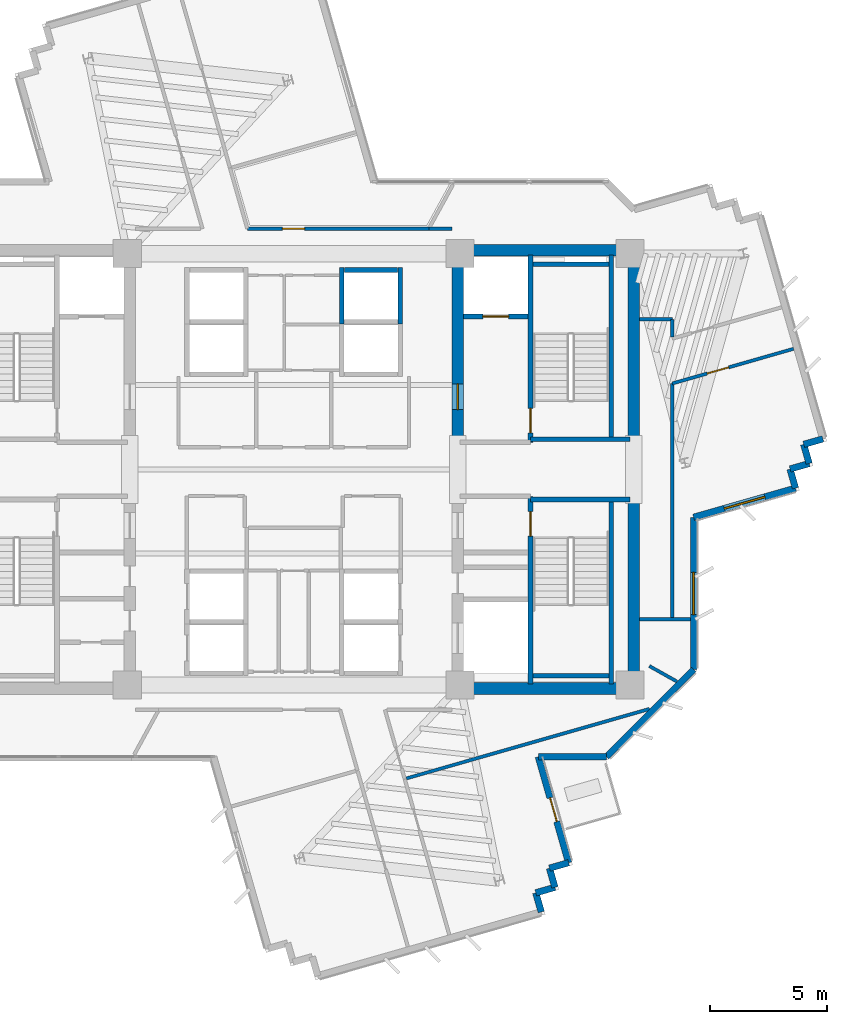
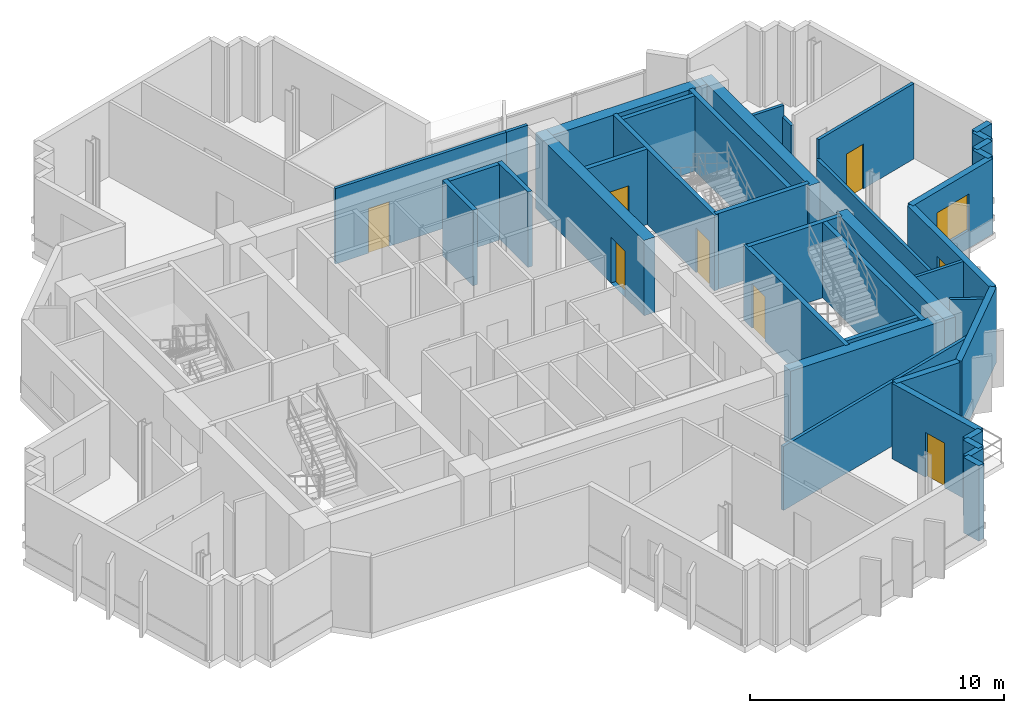
# One storey, part 8 of 14: 39 walls, 7 doors, 2 windows, 9 openings.
"""IFC4 building model written with IfcOpenShell, lengths in metres."""

from ifc_helpers import new_model, si_unit, direction, frame, frame_2d, origin, place, context, subcontext, project, spatial, rectangle, extrude, source, transform, mapped, material, layer, layer_set, type_object, element, fill, save


model = new_model("IFC4")

# Units and contexts
model_context = context("Model", 3, precision=1e-05, world=origin(), true_north=direction((0.0, 1.0)))
body_context = subcontext(model_context, "Body", "Model", "MODEL_VIEW")
ifc_project = project(units=[si_unit("LENGTHUNIT", "METRE"), si_unit("AREAUNIT", "SQUARE_METRE"), si_unit("VOLUMEUNIT", "CUBIC_METRE"), si_unit("PLANEANGLEUNIT", "RADIAN"), si_unit("MASSUNIT", "GRAM", prefix="KILO")], contexts=[model_context])

# Site, building, storey
site_placement = place(None, origin())
site = spatial("IfcSite", under=ifc_project, at=site_placement, CompositionType="ELEMENT")
building_placement = place(site_placement, origin())
building = spatial("IfcBuilding", under=site, at=building_placement, Name="Zahravan Cultural Tower", CompositionType="ELEMENT")
storey_placement = place(building_placement, frame((0.0, 0.0, 205.800048828125)))
storey = spatial("IfcBuildingStorey", under=building, at=storey_placement, Name="L48", CompositionType="ELEMENT", Elevation=205.800048828125)

# Wall, opening, door
ifc_material_1 = material(Name="Concrete C60/75", Category="concrete")
ifc_layer_1 = layer(ifc_material_1, 0.5)
ifc_layer_set_1 = layer_set([ifc_layer_1], Name="Concrete C60/75")
wall_type_1 = type_object("IfcWallType", Name="CW-SHEAR-500-C60", PredefinedType="SHEAR", material=ifc_layer_set_1)
wall_1_placement = place(storey_placement, frame((43.0, 28.050048828125, 0.0), z_axis=(0.0, 0.0, 1.0), x_axis=(0.0, 1.0, 0.0)))
wall_1 = element("IfcWall", 1, at=wall_1_placement, inside=storey, type_object=wall_type_1, Name="L48 Core Shear Wall CW-E-WN-L48", PredefinedType="SHEAR", context=body_context, shape_type="SweptSolid", body=[
    extrude(rectangle(XDim=8.550048828125, YDim=0.5, at=frame_2d((4.27490234375, 0.0))), origin(), (0.0, 0.0, 1.0), 3.619873046875),
])
opening_1_placement = place(wall_1_placement, frame((1.5, 0.0, 0.0)))
opening_1 = element("IfcOpeningElement", 2, at=opening_1_placement, cuts=wall_1, Name="Opening D-L48-06", PredefinedType="OPENING", context=body_context, shape_type="SweptSolid", body=[
    extrude(rectangle(XDim=1.10009765625, YDim=2.199951171875, at=frame_2d((0.550048828125, 1.10009765625))), frame((0.0, 0.260009765625, 0.0), z_axis=(0.0, -1.0, 0.0), x_axis=(1.0, 0.0, 0.0)), (0.0, 0.0, 1.0), 0.52001953125),
])
ifc_material_2 = material(Name="Steel ASTM A572 Grade 50", Category="steel")
door_type_1 = type_object("IfcDoorType", Name="DR-LOBBY-1100", OperationType="NOTDEFINED", PredefinedType="DOOR", material=ifc_material_2)
shared_shape_1 = source(origin(), body_context, "Body", "SweptSolid", [
    extrude(rectangle(XDim=1.10009765625, YDim=2.199951171875, at=frame_2d((0.550048828125, 1.10009765625))), frame((0.0, 0.02490234375, 0.0), z_axis=(0.0, -1.0, 0.0), x_axis=(1.0, 0.0, 0.0)), (0.0, 0.0, 1.0), 0.050048828125),
])
door_1_placement = place(opening_1_placement, origin())
door_1 = element("IfcDoor", 3, at=door_1_placement, inside=storey, type_object=door_type_1, Name="L48 Door D-L48-06", OperationType="SINGLE_SWING_LEFT", OverallHeight=2.199951171875, OverallWidth=1.10009765625, PredefinedType="DOOR", context=body_context, shape_type="MappedRepresentation", body=[
    mapped(shared_shape_1, transform((0.0, 0.0, 0.0), x_axis=(1.0, 0.0, 0.0), y_axis=(0.0, 1.0, 0.0), z_axis=(0.0, 0.0, 1.0), scale=1.0)),
])
fill(opening_1, door_1)

# Wall, opening, window
ifc_material_3 = material(Name="Precast concrete C40/50", Category="concrete")
ifc_layer_2 = layer(ifc_material_3, 0.280029296875)
ifc_layer_set_2 = layer_set([ifc_layer_2], Name="Precast concrete C40/50")
wall_type_2 = type_object("IfcWallType", Name="EW-TC-280", PredefinedType="SOLIDWALL", material=ifc_layer_set_2)
wall_2_placement = place(storey_placement, frame((57.406494140625, 26.195068359375, 0.0), z_axis=(0.0, 0.0, 1.0), x_axis=(-0.961446468673, -0.274992159663, 0.0)))
wall_2 = element("IfcWall", 4, at=wall_2_placement, inside=storey, type_object=wall_type_2, Name="L48 Exterior Masonry Frame Wall 11", PredefinedType="SOLIDWALL", context=body_context, shape_type="SweptSolid", body=[
    extrude(rectangle(XDim=4.520751953125, YDim=0.280029296875, at=frame_2d((2.26025390625, 0.0))), origin(), (0.0, 0.0, 1.0), 3.619873046875),
])
opening_2_placement = place(wall_2_placement, frame((1.360107421875, 0.0, 0.85009765625)))
opening_2 = element("IfcOpeningElement", 5, at=opening_2_placement, cuts=wall_2, Name="Opening WN-02", PredefinedType="OPENING", context=body_context, shape_type="SweptSolid", body=[
    extrude(rectangle(XDim=1.800048828125, YDim=1.75, at=frame_2d((0.89990234375, 0.875))), frame((0.0, 0.14990234375, 0.0), z_axis=(0.0, -1.0, 0.0), x_axis=(1.0, 0.0, 0.0)), (0.0, 0.0, 1.0), 0.300048828125),
])
ifc_material_4 = material(Name="Low-E solar-control double glazing", Category="glass")
window_type = type_object("IfcWindowType", Name="WN-REC-1800X1750", PartitioningType="DOUBLE_PANEL_VERTICAL", PredefinedType="WINDOW", material=ifc_material_4)
shared_shape_2 = source(origin(), body_context, "Body", "SweptSolid", [
    extrude(rectangle(XDim=1.800048828125, YDim=1.75, at=frame_2d((0.89990234375, 0.875))), frame((0.0, 0.030029296875, 0.0), z_axis=(0.0, -1.0, 0.0), x_axis=(1.0, 0.0, 0.0)), (0.0, 0.0, 1.0), 0.06005859375),
])
window_1_placement = place(opening_2_placement, origin())
window_1 = element("IfcWindow", 6, at=window_1_placement, inside=storey, type_object=window_type, Name="L48 Recessed Solar Window 01", OverallHeight=1.75, OverallWidth=1.800048828125, PartitioningType="DOUBLE_PANEL_VERTICAL", PredefinedType="WINDOW", context=body_context, shape_type="MappedRepresentation", body=[
    mapped(shared_shape_2, transform((0.0, 0.0, 0.0), x_axis=(1.0, 0.0, 0.0), y_axis=(0.0, 1.0, 0.0), z_axis=(0.0, 0.0, 1.0), scale=1.0)),
])
fill(opening_2, window_1)

wall_3_placement = place(storey_placement, frame((53.06005859375, 24.951904296875, 0.0), z_axis=(0.0, 0.0, 1.0), x_axis=(0.0, -1.0, 0.0)))
wall_3 = element("IfcWall", 7, at=wall_3_placement, inside=storey, type_object=wall_type_2, Name="L48 Exterior Masonry Frame Wall 12", PredefinedType="SOLIDWALL", context=body_context, shape_type="SweptSolid", body=[
    extrude(rectangle(XDim=6.493896484375, YDim=0.280029296875, at=frame_2d((3.2470703125, 0.0))), origin(), (0.0, 0.0, 1.0), 3.619873046875),
])
opening_3_placement = place(wall_3_placement, frame((2.346923828125, 0.0, 0.85009765625)))
opening_3 = element("IfcOpeningElement", 8, at=opening_3_placement, cuts=wall_3, Name="Opening WN-02", PredefinedType="OPENING", context=body_context, shape_type="SweptSolid", body=[
    extrude(rectangle(XDim=1.800048828125, YDim=1.75, at=frame_2d((0.89990234375, 0.875))), frame((0.0, 0.14990234375, 0.0), z_axis=(0.0, -1.0, 0.0), x_axis=(1.0, 0.0, 0.0)), (0.0, 0.0, 1.0), 0.300048828125),
])
window_2_placement = place(opening_3_placement, origin())
window_2 = element("IfcWindow", 9, at=window_2_placement, inside=storey, type_object=window_type, Name="L48 Recessed Solar Window 02", OverallHeight=1.75, OverallWidth=1.800048828125, PartitioningType="DOUBLE_PANEL_VERTICAL", PredefinedType="WINDOW", context=body_context, shape_type="MappedRepresentation", body=[
    mapped(shared_shape_2, transform((0.0, 0.0, 0.0), x_axis=(1.0, 0.0, 0.0), y_axis=(0.0, 1.0, 0.0), z_axis=(0.0, 0.0, 1.0), scale=1.0)),
])
fill(opening_3, window_2)

# Wall, opening, door
wall_4_placement = place(storey_placement, frame((46.43310546875, 14.739990234375, 0.0), z_axis=(0.0, 0.0, 1.0), x_axis=(0.274981611661, -0.961449485542, 0.0)))
wall_4 = element("IfcWall", 10, at=wall_4_placement, inside=storey, type_object=wall_type_2, Name="L48 Exterior Masonry Frame Wall 15", PredefinedType="SOLIDWALL", context=body_context, shape_type="SweptSolid", body=[
    extrude(rectangle(XDim=4.703857421875, YDim=0.280029296875, at=frame_2d((2.35205078125, 0.0))), origin(), (0.0, 0.0, 1.0), 3.619873046875),
])
opening_4_placement = place(wall_4_placement, frame((1.826904296875, 0.0, 0.0)))
opening_4 = element("IfcOpeningElement", 11, at=opening_4_placement, cuts=wall_4, Name="Opening D-L48-TR-SE", PredefinedType="OPENING", context=body_context, shape_type="SweptSolid", body=[
    extrude(rectangle(XDim=1.050048828125, YDim=2.14990234375, at=frame_2d((0.52490234375, 1.074951171875))), frame((0.0, 0.14990234375, 0.0), z_axis=(0.0, -1.0, 0.0), x_axis=(1.0, 0.0, 0.0)), (0.0, 0.0, 1.0), 0.300048828125),
])
ifc_material_5 = material(Name="Anodised bronze-aluminium mullion", Category="aluminium")
door_type_2 = type_object("IfcDoorType", Name="DR-TERR-1050", OperationType="NOTDEFINED", PredefinedType="DOOR", material=ifc_material_5)
shared_shape_3 = source(origin(), body_context, "Body", "SweptSolid", [
    extrude(rectangle(XDim=1.050048828125, YDim=2.14990234375, at=frame_2d((0.52490234375, 1.074951171875))), frame((0.0, 0.02490234375, 0.0), z_axis=(0.0, -1.0, 0.0), x_axis=(1.0, 0.0, 0.0)), (0.0, 0.0, 1.0), 0.050048828125),
])
door_2_placement = place(opening_4_placement, origin())
door_2 = element("IfcDoor", 12, at=door_2_placement, inside=storey, type_object=door_type_2, Name="L48 Terrace Access Door SE", OperationType="SINGLE_SWING_LEFT", OverallHeight=2.14990234375, OverallWidth=1.050048828125, PredefinedType="DOOR", context=body_context, shape_type="MappedRepresentation", body=[
    mapped(shared_shape_3, transform((0.0, 0.0, 0.0), x_axis=(1.0, 0.0, 0.0), y_axis=(0.0, 1.0, 0.0), z_axis=(0.0, 0.0, 1.0), scale=1.0)),
])
fill(opening_4, door_2)

ifc_material_6 = material(Name="Gypsum plasterboard partition")
ifc_layer_3 = layer(ifc_material_6, 0.139892578125)
ifc_layer_set_3 = layer_set([ifc_layer_3], Name="Gypsum plasterboard partition")
wall_type_3 = type_object("IfcWallType", Name="W-PART-140", PredefinedType="PARTITIONING", material=ifc_layer_set_3)
wall_5_placement = place(storey_placement, frame((41.775390625, 37.260009765625, 0.0), z_axis=(0.0, 0.0, 1.0), x_axis=(-1.0, 0.0, 0.0)))
wall_5 = element("IfcWall", 13, at=wall_5_placement, inside=storey, type_object=wall_type_3, Name="L48 Interior Wall 092", PredefinedType="PARTITIONING", context=body_context, shape_type="SweptSolid", body=[
    extrude(rectangle(XDim=7.752685546875, YDim=0.139892578125, at=frame_2d((3.87646484375, 0.0))), origin(), (0.0, 0.0, 1.0), 3.619873046875),
])
opening_5_placement = place(wall_5_placement, frame((5.30615234375, 0.0, 0.0)))
opening_5 = element("IfcOpeningElement", 14, at=opening_5_placement, cuts=wall_5, Name="Opening D-L48-25", PredefinedType="OPENING", context=body_context, shape_type="SweptSolid", body=[
    extrude(rectangle(XDim=0.949951171875, YDim=2.14990234375, at=frame_2d((0.47509765625, 1.074951171875))), frame((0.0, 0.079833984375, 0.0), z_axis=(0.0, -1.0, 0.0), x_axis=(1.0, 0.0, 0.0)), (0.0, 0.0, 1.0), 0.159912109375),
])
door_type_3 = type_object("IfcDoorType", Name="DR-ROOM-950", OperationType="NOTDEFINED", PredefinedType="DOOR", material=ifc_material_5)
shared_shape_4 = source(origin(), body_context, "Body", "SweptSolid", [
    extrude(rectangle(XDim=0.949951171875, YDim=2.14990234375, at=frame_2d((0.47509765625, 1.074951171875))), frame((0.0, 0.02490234375, 0.0), z_axis=(0.0, -1.0, 0.0), x_axis=(1.0, 0.0, 0.0)), (0.0, 0.0, 1.0), 0.050048828125),
])
door_3_placement = place(opening_5_placement, origin())
door_3 = element("IfcDoor", 15, at=door_3_placement, inside=storey, type_object=door_type_3, Name="L48 Door D-L48-25", OperationType="SINGLE_SWING_RIGHT", OverallHeight=2.14990234375, OverallWidth=0.949951171875, PredefinedType="DOOR", context=body_context, shape_type="MappedRepresentation", body=[
    mapped(shared_shape_4, transform((0.0, 0.0, 0.0), x_axis=(1.0, 0.0, 0.0), y_axis=(0.0, 1.0, 0.0), z_axis=(0.0, 0.0, 1.0), scale=1.0)),
])
fill(opening_5, door_3)

wall_6_placement = place(storey_placement, frame((52.14990234375, 30.661865234375, 0.0), z_axis=(0.0, 0.0, 1.0), x_axis=(0.961455430103, 0.274960826164, 0.0)))
wall_6 = element("IfcWall", 16, at=wall_6_placement, inside=storey, type_object=wall_type_3, Name="L48 Interior Wall 110", PredefinedType="PARTITIONING", context=body_context, shape_type="SweptSolid", body=[
    extrude(rectangle(XDim=5.380859375, YDim=0.139892578125, at=frame_2d((2.6904296875, 0.0))), origin(), (0.0, 0.0, 1.0), 3.619873046875),
])
opening_6_placement = place(wall_6_placement, frame((1.55078125, 0.0, 0.0)))
opening_6 = element("IfcOpeningElement", 17, at=opening_6_placement, cuts=wall_6, Name="Opening D-L48-23", PredefinedType="OPENING", context=body_context, shape_type="SweptSolid", body=[
    extrude(rectangle(XDim=0.949951171875, YDim=2.14990234375, at=frame_2d((0.47509765625, 1.074951171875))), frame((0.0, 0.079833984375, 0.0), z_axis=(0.0, -1.0, 0.0), x_axis=(1.0, 0.0, 0.0)), (0.0, 0.0, 1.0), 0.159912109375),
])
door_4_placement = place(opening_6_placement, origin())
door_4 = element("IfcDoor", 18, at=door_4_placement, inside=storey, type_object=door_type_3, Name="L48 Door D-L48-23", OperationType="SINGLE_SWING_RIGHT", OverallHeight=2.14990234375, OverallWidth=0.949951171875, PredefinedType="DOOR", context=body_context, shape_type="MappedRepresentation", body=[
    mapped(shared_shape_4, transform((0.0, 0.0, 0.0), x_axis=(1.0, 0.0, 0.0), y_axis=(0.0, 1.0, 0.0), z_axis=(0.0, 0.0, 1.0), scale=1.0)),
])
fill(opening_6, door_4)

ifc_material_7 = material(Name="Concrete C45/55", Category="concrete")
ifc_layer_4 = layer(ifc_material_7, 0.199951171875)
ifc_layer_set_4 = layer_set([ifc_layer_4], Name="Concrete C45/55")
wall_type_4 = type_object("IfcWallType", Name="W-SHAFT-200", PredefinedType="SOLIDWALL", material=ifc_layer_set_4)
wall_7_placement = place(storey_placement, frame((46.10009765625, 17.85009765625, 0.0), z_axis=(0.0, 0.0, 1.0), x_axis=(0.0, 1.0, 0.0)))
wall_7 = element("IfcWall", 19, at=wall_7_placement, inside=storey, type_object=wall_type_4, Name="L48 Interior Wall 007", PredefinedType="SOLIDWALL", context=body_context, shape_type="SweptSolid", body=[
    extrude(rectangle(XDim=8.0, YDim=0.199951171875, at=frame_2d((4.0, 0.0))), origin(), (0.0, 0.0, 1.0), 3.619873046875),
])
opening_7_placement = place(wall_7_placement, frame((6.300048828125, 0.0, 0.0)))
opening_7 = element("IfcOpeningElement", 20, at=opening_7_placement, cuts=wall_7, Name="Opening D-L48-03", PredefinedType="OPENING", context=body_context, shape_type="SweptSolid", body=[
    extrude(rectangle(XDim=1.050048828125, YDim=2.14990234375, at=frame_2d((0.52490234375, 1.074951171875))), frame((0.0, 0.10986328125, 0.0), z_axis=(0.0, -1.0, 0.0), x_axis=(1.0, 0.0, 0.0)), (0.0, 0.0, 1.0), 0.219970703125),
])
door_type_4 = type_object("IfcDoorType", Name="DR-STAIR-1050", OperationType="NOTDEFINED", PredefinedType="DOOR", material=ifc_material_2)
door_5_placement = place(opening_7_placement, origin())
door_5 = element("IfcDoor", 21, at=door_5_placement, inside=storey, type_object=door_type_4, Name="L48 Door D-L48-03", OperationType="SINGLE_SWING_RIGHT", OverallHeight=2.14990234375, OverallWidth=1.050048828125, PredefinedType="DOOR", context=body_context, shape_type="MappedRepresentation", body=[
    mapped(shared_shape_3, transform((0.0, 0.0, 0.0), x_axis=(1.0, 0.0, 0.0), y_axis=(0.0, 1.0, 0.0), z_axis=(0.0, 0.0, 1.0), scale=1.0)),
])
fill(opening_7, door_5)

wall_8_placement = place(storey_placement, frame((46.10009765625, 28.14990234375, 0.0), z_axis=(0.0, 0.0, 1.0), x_axis=(0.0, 1.0, 0.0)))
wall_8 = element("IfcWall", 22, at=wall_8_placement, inside=storey, type_object=wall_type_4, Name="L48 Interior Wall 008", PredefinedType="SOLIDWALL", context=body_context, shape_type="SweptSolid", body=[
    extrude(rectangle(XDim=8.0, YDim=0.199951171875, at=frame_2d((4.0, 0.0))), origin(), (0.0, 0.0, 1.0), 3.619873046875),
])
opening_8_placement = place(wall_8_placement, frame((0.39990234375, 0.0, 0.0)))
opening_8 = element("IfcOpeningElement", 23, at=opening_8_placement, cuts=wall_8, Name="Opening D-L48-02", PredefinedType="OPENING", context=body_context, shape_type="SweptSolid", body=[
    extrude(rectangle(XDim=1.050048828125, YDim=2.14990234375, at=frame_2d((0.52490234375, 1.074951171875))), frame((0.0, 0.10986328125, 0.0), z_axis=(0.0, -1.0, 0.0), x_axis=(1.0, 0.0, 0.0)), (0.0, 0.0, 1.0), 0.219970703125),
])
door_6_placement = place(opening_8_placement, origin())
door_6 = element("IfcDoor", 24, at=door_6_placement, inside=storey, type_object=door_type_4, Name="L48 Door D-L48-02", OperationType="SINGLE_SWING_LEFT", OverallHeight=2.14990234375, OverallWidth=1.050048828125, PredefinedType="DOOR", context=body_context, shape_type="MappedRepresentation", body=[
    mapped(shared_shape_3, transform((0.0, 0.0, 0.0), x_axis=(1.0, 0.0, 0.0), y_axis=(0.0, 1.0, 0.0), z_axis=(0.0, 0.0, 1.0), scale=1.0)),
])
fill(opening_8, door_6)

wall_9_placement = place(storey_placement, frame((43.25, 33.52001953125, 0.0), z_axis=(0.0, 0.0, 1.0), x_axis=(1.0, 0.0, 0.0)))
wall_9 = element("IfcWall", 25, at=wall_9_placement, inside=storey, type_object=wall_type_4, Name="L48 Interior Wall 022", PredefinedType="SOLIDWALL", context=body_context, shape_type="SweptSolid", body=[
    extrude(rectangle(XDim=2.75, YDim=0.199951171875, at=frame_2d((1.375, 0.0))), origin(), (0.0, 0.0, 1.0), 3.619873046875),
])
opening_9_placement = place(wall_9_placement, frame((0.820068359375, 0.0, 0.0)))
opening_9 = element("IfcOpeningElement", 26, at=opening_9_placement, cuts=wall_9, Name="Opening LD-L48-02", PredefinedType="OPENING", context=body_context, shape_type="SweptSolid", body=[
    extrude(rectangle(XDim=1.10009765625, YDim=2.14990234375, at=frame_2d((0.550048828125, 1.074951171875))), frame((0.0, 0.10986328125, 0.0), z_axis=(0.0, -1.0, 0.0), x_axis=(1.0, 0.0, 0.0)), (0.0, 0.0, 1.0), 0.219970703125),
])
door_type_5 = type_object("IfcDoorType", Name="DR-LIFT-1100", OperationType="DOUBLE_DOOR_SLIDING", PredefinedType="DOOR", material=ifc_material_2)
shared_shape_5 = source(origin(), body_context, "Body", "SweptSolid", [
    extrude(rectangle(XDim=1.10009765625, YDim=2.14990234375, at=frame_2d((0.550048828125, 1.074951171875))), frame((0.0, 0.02490234375, 0.0), z_axis=(0.0, -1.0, 0.0), x_axis=(1.0, 0.0, 0.0)), (0.0, 0.0, 1.0), 0.050048828125),
])
door_7_placement = place(opening_9_placement, origin())
door_7 = element("IfcDoor", 27, at=door_7_placement, inside=storey, type_object=door_type_5, Name="L48 Door LD-L48-02", OperationType="DOUBLE_DOOR_SLIDING", OverallHeight=2.14990234375, OverallWidth=1.10009765625, PredefinedType="DOOR", context=body_context, shape_type="MappedRepresentation", body=[
    mapped(shared_shape_5, transform((0.0, 0.0, 0.0), x_axis=(1.0, 0.0, 0.0), y_axis=(0.0, 1.0, 0.0), z_axis=(0.0, 0.0, 1.0), scale=1.0)),
])
fill(opening_9, door_7)

# Walls
shared_shape_6 = source(origin(), body_context, "Body", "SweptSolid", [
    extrude(rectangle(XDim=8.550048828125, YDim=0.5, at=frame_2d((4.27490234375, 0.0))), origin(), (0.0, 0.0, 1.0), 3.619873046875),
])
for number, where, z_axis, x_axis, name in (
    (28, (50.5, 17.39990234375, 0.0), (0.0, 0.0, 1.0), (0.0, 1.0, 0.0), "L48 Core Shear Wall CW-E-ES-L48"),
    (29, (50.5, 28.050048828125, 0.0), (0.0, 0.0, 1.0), (0.0, 1.0, 0.0), "L48 Core Shear Wall CW-E-EN-L48"),
):
    element("IfcWall", number, at=place(storey_placement, frame(where, z_axis=z_axis, x_axis=x_axis)), inside=storey, type_object=wall_type_1, Name=name, PredefinedType="SHEAR", context=body_context, shape_type="MappedRepresentation", body=[
        mapped(shared_shape_6, transform((0.0, 0.0, 0.0), x_axis=(1.0, 0.0, 0.0), y_axis=(0.0, 1.0, 0.0), z_axis=(0.0, 0.0, 1.0), scale=1.0)),
    ])
shared_shape_7 = source(origin(), body_context, "Body", "SweptSolid", [
    extrude(rectangle(XDim=7.0, YDim=0.5, at=frame_2d((3.5, 0.0))), origin(), (0.0, 0.0, 1.0), 3.619873046875),
])
for number, where, z_axis, x_axis, name in (
    (30, (43.25, 17.64990234375, 0.0), (0.0, 0.0, 1.0), (1.0, 0.0, 0.0), "L48 Core Shear Wall CW-E-S-L48"),
    (31, (43.25, 36.35009765625, 0.0), (0.0, 0.0, 1.0), (1.0, 0.0, 0.0), "L48 Core Shear Wall CW-E-N-L48"),
):
    element("IfcWall", number, at=place(storey_placement, frame(where, z_axis=z_axis, x_axis=x_axis)), inside=storey, type_object=wall_type_1, Name=name, PredefinedType="SHEAR", context=body_context, shape_type="MappedRepresentation", body=[
        mapped(shared_shape_7, transform((0.0, 0.0, 0.0), x_axis=(1.0, 0.0, 0.0), y_axis=(0.0, 1.0, 0.0), z_axis=(0.0, 0.0, 1.0), scale=1.0)),
    ])
shared_shape_8 = source(origin(), body_context, "Body", "SweptSolid", [
    extrude(rectangle(XDim=0.85009765625, YDim=0.280029296875, at=frame_2d((0.425048828125, 0.0))), origin(), (0.0, 0.0, 1.0), 3.619873046875),
])
for number, where, z_axis, x_axis, name in (
    (32, (46.909423828125, 9.98388671875, 0.0), (0.0, 0.0, 1.0), (0.274834915789, -0.961491429532, 0.0), "L48 Exterior Masonry Frame Wall 17"),
    (33, (46.325927734375, 8.932861328125, 0.0), (0.0, 0.0, 1.0), (0.274834915789, -0.961491429532, 0.0), "L48 Exterior Masonry Frame Wall 19"),
):
    element("IfcWall", number, at=place(storey_placement, frame(where, z_axis=z_axis, x_axis=x_axis)), inside=storey, type_object=wall_type_2, Name=name, PredefinedType="SOLIDWALL", context=body_context, shape_type="MappedRepresentation", body=[
        mapped(shared_shape_8, transform((0.0, 0.0, 0.0), x_axis=(1.0, 0.0, 0.0), y_axis=(0.0, 1.0, 0.0), z_axis=(0.0, 0.0, 1.0), scale=1.0)),
    ])
shared_shape_9 = source(origin(), body_context, "Body", "SweptSolid", [
    extrude(rectangle(XDim=5.258056640625, YDim=0.280029296875, at=frame_2d((2.62890625, 0.0))), origin(), (0.0, 0.0, 1.0), 3.619873046875),
])
wall_10_placement = place(storey_placement, frame((53.06005859375, 18.4580078125, 0.0), z_axis=(0.0, 0.0, 1.0), x_axis=(-0.707106781187, -0.707106781187, 0.0)))
element("IfcWall", 34, at=wall_10_placement, inside=storey, type_object=wall_type_2, Name="L48 Exterior Masonry Frame Wall 13", PredefinedType="SOLIDWALL", context=body_context, shape_type="MappedRepresentation", body=[
    mapped(shared_shape_9, transform((0.0, 0.0, 0.0), x_axis=(1.0, 0.0, 0.0), y_axis=(0.0, 1.0, 0.0), z_axis=(0.0, 0.0, 1.0), scale=1.0)),
])
shared_shape_10 = source(origin(), body_context, "Body", "SweptSolid", [
    extrude(rectangle(XDim=0.849853515625, YDim=0.280029296875, at=frame_2d((0.4248046875, 0.0))), origin(), (0.0, 0.0, 1.0), 3.619873046875),
])
for number, where, z_axis, x_axis, name in (
    (35, (58.573486328125, 28.296875, 0.0), (0.0, 0.0, 1.0), (-0.961469728335, -0.274910824624, 0.0), "L48 Exterior Masonry Frame Wall 07"),
    (36, (57.75634765625, 28.063232421875, 0.0), (0.0, 0.0, 1.0), (0.274910824624, -0.961469728335, 0.0), "L48 Exterior Masonry Frame Wall 08"),
    (37, (57.989990234375, 27.24609375, 0.0), (0.0, 0.0, 1.0), (-0.961393768724, -0.275176346112, 0.0), "L48 Exterior Masonry Frame Wall 09"),
    (38, (57.1728515625, 27.01220703125, 0.0), (0.0, 0.0, 1.0), (0.274910824624, -0.961469728335, 0.0), "L48 Exterior Masonry Frame Wall 10"),
    (39, (47.7265625, 10.217529296875, 0.0), (0.0, 0.0, 1.0), (-0.961469728335, -0.274910824624, 0.0), "L48 Exterior Masonry Frame Wall 16"),
    (40, (47.14306640625, 9.16650390625, 0.0), (0.0, 0.0, 1.0), (-0.961469728335, -0.274910824624, 0.0), "L48 Exterior Masonry Frame Wall 18"),
):
    element("IfcWall", number, at=place(storey_placement, frame(where, z_axis=z_axis, x_axis=x_axis)), inside=storey, type_object=wall_type_2, Name=name, PredefinedType="SOLIDWALL", context=body_context, shape_type="MappedRepresentation", body=[
        mapped(shared_shape_10, transform((0.0, 0.0, 0.0), x_axis=(1.0, 0.0, 0.0), y_axis=(0.0, 1.0, 0.0), z_axis=(0.0, 0.0, 1.0), scale=1.0)),
    ])
shared_shape_11 = source(origin(), body_context, "Body", "SweptSolid", [
    extrude(rectangle(XDim=2.908935546875, YDim=0.280029296875, at=frame_2d((1.45458984375, 0.0))), origin(), (0.0, 0.0, 1.0), 3.619873046875),
])
wall_11_placement = place(storey_placement, frame((49.342041015625, 14.739990234375, 0.0), z_axis=(0.0, 0.0, 1.0), x_axis=(-1.0, 0.0, 0.0)))
element("IfcWall", 41, at=wall_11_placement, inside=storey, type_object=wall_type_2, Name="L48 Exterior Masonry Frame Wall 14", PredefinedType="SOLIDWALL", context=body_context, shape_type="MappedRepresentation", body=[
    mapped(shared_shape_11, transform((0.0, 0.0, 0.0), x_axis=(1.0, 0.0, 0.0), y_axis=(0.0, 1.0, 0.0), z_axis=(0.0, 0.0, 1.0), scale=1.0)),
])
shared_shape_12 = source(origin(), body_context, "Body", "SweptSolid", [
    extrude(rectangle(XDim=7.869873046875, YDim=0.199951171875, at=frame_2d((3.93505859375, 0.0))), origin(), (0.0, 0.0, 1.0), 3.619873046875),
])
for number, where, z_axis, x_axis, name in (
    (42, (49.550048828125, 17.85009765625, 0.0), (0.0, 0.0, 1.0), (0.0, 1.0, 0.0), "L48 Interior Wall 003"),
    (43, (49.550048828125, 28.280029296875, 0.0), (0.0, 0.0, 1.0), (0.0, 1.0, 0.0), "L48 Interior Wall 004"),
):
    element("IfcWall", number, at=place(storey_placement, frame(where, z_axis=z_axis, x_axis=x_axis)), inside=storey, type_object=wall_type_4, Name=name, PredefinedType="SOLIDWALL", context=body_context, shape_type="MappedRepresentation", body=[
        mapped(shared_shape_12, transform((0.0, 0.0, 0.0), x_axis=(1.0, 0.0, 0.0), y_axis=(0.0, 1.0, 0.0), z_axis=(0.0, 0.0, 1.0), scale=1.0)),
    ])
shared_shape_13 = source(origin(), body_context, "Body", "SweptSolid", [
    extrude(rectangle(XDim=4.25, YDim=0.199951171875, at=frame_2d((2.125, 0.0))), origin(), (0.0, 0.0, 1.0), 3.619873046875),
])
for number, where, z_axis, x_axis, name in (
    (44, (46.10009765625, 25.715087890625, 0.0), (0.0, 0.0, 1.0), (1.0, 0.0, 0.0), "L48 Interior Wall 014"),
    (45, (46.10009765625, 28.284912109375, 0.0), (0.0, 0.0, 1.0), (1.0, 0.0, 0.0), "L48 Interior Wall 016"),
):
    element("IfcWall", number, at=place(storey_placement, frame(where, z_axis=z_axis, x_axis=x_axis)), inside=storey, type_object=wall_type_4, Name=name, PredefinedType="SOLIDWALL", context=body_context, shape_type="MappedRepresentation", body=[
        mapped(shared_shape_13, transform((0.0, 0.0, 0.0), x_axis=(1.0, 0.0, 0.0), y_axis=(0.0, 1.0, 0.0), z_axis=(0.0, 0.0, 1.0), scale=1.0)),
    ])
shared_shape_14 = source(origin(), body_context, "Body", "SweptSolid", [
    extrude(rectangle(XDim=3.25, YDim=0.199951171875, at=frame_2d((1.625, 0.0))), origin(), (0.0, 0.0, 1.0), 3.619873046875),
])
for number, where, z_axis, x_axis, name in (
    (46, (46.199951171875, 35.75, 0.0), (0.0, 0.0, 1.0), (1.0, 0.0, 0.0), "L48 Interior Wall 018"),
    (47, (46.199951171875, 18.199951171875, 0.0), (0.0, 0.0, 1.0), (1.0, 0.0, 0.0), "L48 Interior Wall 020"),
):
    element("IfcWall", number, at=place(storey_placement, frame(where, z_axis=z_axis, x_axis=x_axis)), inside=storey, type_object=wall_type_4, Name=name, PredefinedType="SOLIDWALL", context=body_context, shape_type="MappedRepresentation", body=[
        mapped(shared_shape_14, transform((0.0, 0.0, 0.0), x_axis=(1.0, 0.0, 0.0), y_axis=(0.0, 1.0, 0.0), z_axis=(0.0, 0.0, 1.0), scale=1.0)),
    ])
shared_shape_15 = source(origin(), body_context, "Body", "SweptSolid", [
    extrude(rectangle(XDim=2.400146484375, YDim=0.199951171875, at=frame_2d((1.2001953125, 0.0))), origin(), (0.0, 0.0, 1.0), 3.619873046875),
])
for number, where, z_axis, x_axis, name in (
    (48, (38.050048828125, 33.199951171875, 0.0), (0.0, 0.0, 1.0), (0.0, 1.0, 0.0), "L48 Interior Wall 036"),
    (49, (40.550048828125, 33.199951171875, 0.0), (0.0, 0.0, 1.0), (0.0, 1.0, 0.0), "L48 Interior Wall 037"),
):
    element("IfcWall", number, at=place(storey_placement, frame(where, z_axis=z_axis, x_axis=x_axis)), inside=storey, type_object=wall_type_4, Name=name, PredefinedType="SOLIDWALL", context=body_context, shape_type="MappedRepresentation", body=[
        mapped(shared_shape_15, transform((0.0, 0.0, 0.0), x_axis=(1.0, 0.0, 0.0), y_axis=(0.0, 1.0, 0.0), z_axis=(0.0, 0.0, 1.0), scale=1.0)),
    ])
shared_shape_16 = source(origin(), body_context, "Body", "SweptSolid", [
    extrude(rectangle(XDim=2.260009765625, YDim=0.199951171875, at=frame_2d((1.1298828125, 0.0))), origin(), (0.0, 0.0, 1.0), 3.619873046875),
])
wall_12_placement = place(storey_placement, frame((38.169921875, 35.5, 0.0), z_axis=(0.0, 0.0, 1.0), x_axis=(1.0, 0.0, 0.0)))
element("IfcWall", 50, at=wall_12_placement, inside=storey, type_object=wall_type_4, Name="L48 Interior Wall 039", PredefinedType="SOLIDWALL", context=body_context, shape_type="MappedRepresentation", body=[
    mapped(shared_shape_16, transform((0.0, 0.0, 0.0), x_axis=(1.0, 0.0, 0.0), y_axis=(0.0, 1.0, 0.0), z_axis=(0.0, 0.0, 1.0), scale=1.0)),
])
shared_shape_17 = source(origin(), body_context, "Body", "SweptSolid", [
    extrude(rectangle(XDim=1.39404296875, YDim=0.139892578125, at=frame_2d((0.697021484375, 0.0))), origin(), (0.0, 0.0, 1.0), 3.619873046875),
])
wall_13_placement = place(storey_placement, frame((52.14892578125, 33.39892578125, 0.0), z_axis=(0.0, 0.0, 1.0), x_axis=(-0.999999754632, 0.000700525222, 0.0)))
element("IfcWall", 51, at=wall_13_placement, inside=storey, type_object=wall_type_3, Name="L48 Interior Wall 114", PredefinedType="PARTITIONING", context=body_context, shape_type="MappedRepresentation", body=[
    mapped(shared_shape_17, transform((0.0, 0.0, 0.0), x_axis=(1.0, 0.0, 0.0), y_axis=(0.0, 1.0, 0.0), z_axis=(0.0, 0.0, 1.0), scale=1.0)),
])
shared_shape_18 = source(origin(), body_context, "Body", "SweptSolid", [
    extrude(rectangle(XDim=2.1650390625, YDim=0.139892578125, at=frame_2d((1.08251953125, 0.0))), origin(), (0.0, 0.0, 1.0), 3.619873046875),
])
wall_14_placement = place(storey_placement, frame((50.7548828125, 20.60009765625, 0.0), z_axis=(0.0, 0.0, 1.0), x_axis=(1.0, 0.0, 0.0)))
element("IfcWall", 52, at=wall_14_placement, inside=storey, type_object=wall_type_3, Name="L48 Interior Wall 108", PredefinedType="PARTITIONING", context=body_context, shape_type="MappedRepresentation", body=[
    mapped(shared_shape_18, transform((0.0, 0.0, 0.0), x_axis=(1.0, 0.0, 0.0), y_axis=(0.0, 1.0, 0.0), z_axis=(0.0, 0.0, 1.0), scale=1.0)),
])
shared_shape_19 = source(origin(), body_context, "Body", "SweptSolid", [
    extrude(rectangle(XDim=1.34765625, YDim=0.139892578125, at=frame_2d((0.673828125, 0.0))), origin(), (0.0, 0.0, 1.0), 3.619873046875),
])
wall_15_placement = place(storey_placement, frame((51.169921875, 18.60791015625, 0.0), z_axis=(0.0, 0.0, 1.0), x_axis=(0.872029904913, -0.489452597232, 0.0)))
element("IfcWall", 53, at=wall_15_placement, inside=storey, type_object=wall_type_3, Name="L48 Interior Wall 090", PredefinedType="PARTITIONING", context=body_context, shape_type="MappedRepresentation", body=[
    mapped(shared_shape_19, transform((0.0, 0.0, 0.0), x_axis=(1.0, 0.0, 0.0), y_axis=(0.0, 1.0, 0.0), z_axis=(0.0, 0.0, 1.0), scale=1.0)),
])
shared_shape_20 = source(origin(), body_context, "Body", "SweptSolid", [
    extrude(rectangle(XDim=10.785400390625, YDim=0.139892578125, at=frame_2d((5.392578125, 0.0))), origin(), (0.0, 0.0, 1.0), 3.078857421875),
])
wall_16_placement = place(storey_placement, frame((51.17578125, 16.77880859375, 0.0), z_axis=(0.0, 0.0, 1.0), x_axis=(-0.961454726908, -0.274963285016, 0.0)))
element("IfcWall", 54, at=wall_16_placement, inside=storey, type_object=wall_type_3, Name="L48 Interior Wall 091", PredefinedType="PARTITIONING", context=body_context, shape_type="MappedRepresentation", body=[
    mapped(shared_shape_20, transform((0.0, 0.0, 0.0), x_axis=(1.0, 0.0, 0.0), y_axis=(0.0, 1.0, 0.0), z_axis=(0.0, 0.0, 1.0), scale=1.0)),
])
shared_shape_21 = source(origin(), body_context, "Body", "SweptSolid", [
    extrude(rectangle(XDim=9.98681640625, YDim=0.139892578125, at=frame_2d((4.993408203125, 0.0))), origin(), (0.0, 0.0, 1.0), 2.69287109375),
])
wall_17_placement = place(storey_placement, frame((52.149658203125, 20.675048828125, 0.0), z_axis=(0.0, 0.0, 1.0), x_axis=(2.4446291e-05, 0.999999999701, 0.0)))
element("IfcWall", 55, at=wall_17_placement, inside=storey, type_object=wall_type_3, Name="L48 Interior Wall 109", PredefinedType="PARTITIONING", context=body_context, shape_type="MappedRepresentation", body=[
    mapped(shared_shape_21, transform((0.0, 0.0, 0.0), x_axis=(1.0, 0.0, 0.0), y_axis=(0.0, 1.0, 0.0), z_axis=(0.0, 0.0, 1.0), scale=1.0)),
])
shared_shape_22 = source(origin(), body_context, "Body", "SweptSolid", [
    extrude(rectangle(XDim=0.97216796875, YDim=0.139892578125, at=frame_2d((0.486083984375, 0.0))), origin(), (0.0, 0.0, 1.0), 3.619873046875),
])
wall_18_placement = place(storey_placement, frame((42.74755859375, 37.25927734375, 0.0), z_axis=(0.0, 0.0, 1.0), x_axis=(-0.999999716202, 0.000753390042, 0.0)))
element("IfcWall", 56, at=wall_18_placement, inside=storey, type_object=wall_type_3, Name="L48 Interior Wall 111", PredefinedType="PARTITIONING", context=body_context, shape_type="MappedRepresentation", body=[
    mapped(shared_shape_22, transform((0.0, 0.0, 0.0), x_axis=(1.0, 0.0, 0.0), y_axis=(0.0, 1.0, 0.0), z_axis=(0.0, 0.0, 1.0), scale=1.0)),
])
shared_shape_23 = source(origin(), body_context, "Body", "SweptSolid", [
    extrude(rectangle(XDim=0.745361328125, YDim=0.139892578125, at=frame_2d((0.37255859375, 0.0))), origin(), (0.0, 0.0, 1.0), 3.078857421875),
])
wall_19_placement = place(storey_placement, frame((52.14990234375, 32.653564453125, 0.0), z_axis=(0.0, 0.0, 1.0), x_axis=(-0.001310185577, 0.999999141707, 0.0)))
element("IfcWall", 57, at=wall_19_placement, inside=storey, type_object=wall_type_3, Name="L48 Interior Wall 113", PredefinedType="PARTITIONING", context=body_context, shape_type="MappedRepresentation", body=[
    mapped(shared_shape_23, transform((0.0, 0.0, 0.0), x_axis=(1.0, 0.0, 0.0), y_axis=(0.0, 1.0, 0.0), z_axis=(0.0, 0.0, 1.0), scale=1.0)),
])

save(model, "model.ifc")
